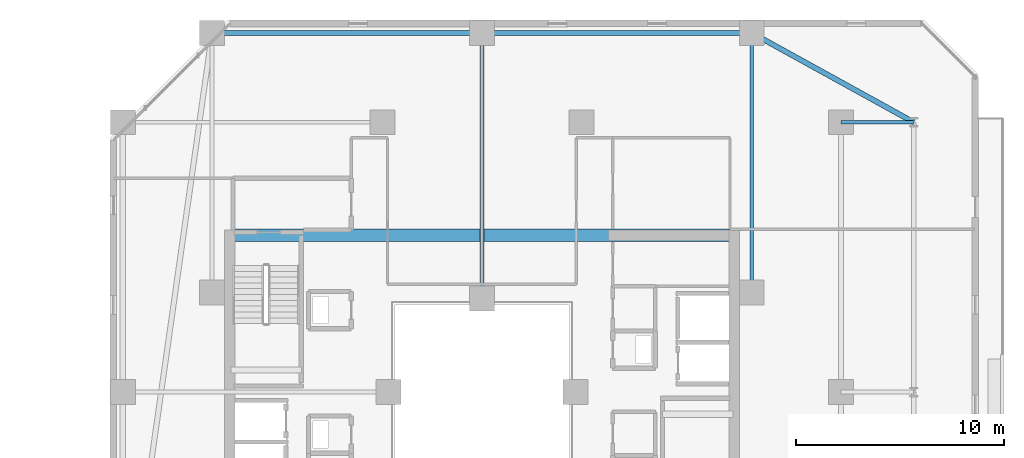
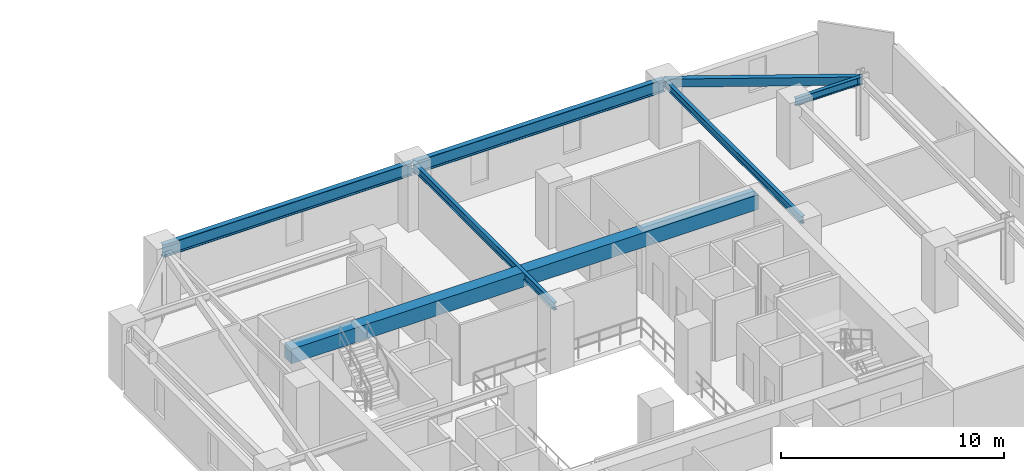
# One storey, part 15 of 31: 7 beams.
"""IFC4 building model written with IfcOpenShell, lengths in metres."""

from ifc_helpers import new_model, si_unit, direction, frame, origin, origin_2d, place, context, subcontext, project, spatial, rectangle, hollow_rectangle, i_section, extrude, material, material_profile, profile_set, type_object, element, save


model = new_model("IFC4")

# Units and contexts
model_context = context("Model", 3, precision=1e-05, world=origin(), true_north=direction((0.0, 1.0)))
body_context = subcontext(model_context, "Body", "Model", "MODEL_VIEW")
ifc_project = project(units=[si_unit("LENGTHUNIT", "METRE"), si_unit("AREAUNIT", "SQUARE_METRE"), si_unit("VOLUMEUNIT", "CUBIC_METRE"), si_unit("PLANEANGLEUNIT", "RADIAN"), si_unit("MASSUNIT", "GRAM", prefix="KILO")], contexts=[model_context])

# Site, building, storey
site_placement = place(None, origin())
site = spatial("IfcSite", under=ifc_project, at=site_placement, CompositionType="ELEMENT")
building_placement = place(site_placement, origin())
building = spatial("IfcBuilding", under=site, at=building_placement, Name="Thornwick Lancets Civic Towers", CompositionType="ELEMENT")
storey_placement = place(building_placement, frame((0.0, 0.0, 126.89990234375)))
storey = spatial("IfcBuildingStorey", under=building, at=storey_placement, Name="L33", CompositionType="ELEMENT", Elevation=126.89990234375)

# Beams
ifc_material_1 = material(Name="Concrete C60/75", Category="concrete")
ifc_material_profile_1 = material_profile(ifc_material_1, rectangle(XDim=0.60009765625, YDim=0.800048828125, at=origin_2d()), Name="RC 600x800")
ifc_profile_set_1 = profile_set([ifc_material_profile_1], Name="Concrete C60/75")
beam_type_1 = type_object("IfcBeamType", Name="BM_COUP_RC800", PredefinedType="BEAM", material=ifc_profile_set_1)
beam_1_placement = place(storey_placement, frame((76.39990234375, 34.550048828125, 2.960205078125), z_axis=(1.0, 0.0, 0.0), x_axis=(0.0, 1.0, 0.0)))
element("IfcBeam", 1, at=beam_1_placement, inside=storey, type_object=beam_type_1, Name="CB-L33-B1", PredefinedType="BEAM", context=body_context, shape_type="SweptSolid", body=[
    extrude(rectangle(XDim=0.60009765625, YDim=0.800048828125, at=origin_2d()), origin(), (0.0, 0.0, 1.0), 24.2001953125),
])
ifc_material_2 = material(Name="Steel S355JR", Category="steel")
ifc_material_profile_2 = material_profile(ifc_material_2, i_section(OverallWidth=0.255859375, OverallDepth=0.69287109375, WebThickness=0.014404296875, FlangeThickness=0.023681640625, FilletRadius=0.01513671875, at=origin_2d()), Name="UKB 686x254x170")
ifc_profile_set_2 = profile_set([ifc_material_profile_2], Name="Steel S355JR")
beam_type_2 = type_object("IfcBeamType", Name="BM_GIRD_686_170", PredefinedType="BEAM", material=ifc_profile_set_2)
beam_2_placement = place(storey_placement, frame((101.5, 44.300048828125, 3.013671875), z_axis=(-1.0, 0.0, 0.0), x_axis=(0.0, -1.0, 0.0)))
element("IfcBeam", 2, at=beam_2_placement, inside=storey, type_object=beam_type_2, Name="BM-SPINE-L33-B-3-4", PredefinedType="BEAM", context=body_context, shape_type="SweptSolid", body=[
    extrude(i_section(OverallWidth=0.255859375, OverallDepth=0.69287109375, WebThickness=0.014404296875, FlangeThickness=0.023681640625, FilletRadius=0.01513671875, at=origin_2d()), origin(), (0.0, 0.0, 1.0), 13.0),
])
beam_3_placement = place(storey_placement, frame((88.419921875, 44.300048828125, 3.013671875), z_axis=(-1.0, 0.0, 0.0), x_axis=(0.0, -1.0, 0.0)))
element("IfcBeam", 3, at=beam_3_placement, inside=storey, type_object=beam_type_2, Name="BM-SPINE-L33-B-4-5", PredefinedType="BEAM", context=body_context, shape_type="SweptSolid", body=[
    extrude(i_section(OverallWidth=0.255859375, OverallDepth=0.69287109375, WebThickness=0.014404296875, FlangeThickness=0.023681640625, FilletRadius=0.01513671875, at=origin_2d()), origin(), (0.0, 0.0, 1.0), 12.919921875),
])
ifc_material_profile_3 = material_profile(ifc_material_2, i_section(OverallWidth=0.179443359375, OverallDepth=0.412841796875, WebThickness=0.009521484375, FlangeThickness=0.01611328125, FilletRadius=0.01025390625, at=origin_2d()), Name="UKB 406x178x74")
ifc_profile_set_3 = profile_set([ifc_material_profile_3], Name="Steel S355JR")
beam_type_3 = type_object("IfcBeamType", Name="BM_JOIST_406_74", PredefinedType="JOIST", material=ifc_profile_set_3)
beam_4_placement = place(storey_placement, frame((105.800048828125, 40.0, 3.15380859375), z_axis=(1.0, 0.0, 0.0), x_axis=(0.0, 1.0, 0.0)))
element("IfcBeam", 4, at=beam_4_placement, inside=storey, type_object=beam_type_3, Name="BM-RAD-L33-B03", PredefinedType="JOIST", context=body_context, shape_type="SweptSolid", body=[
    extrude(i_section(OverallWidth=0.179443359375, OverallDepth=0.412841796875, WebThickness=0.009521484375, FlangeThickness=0.01611328125, FilletRadius=0.01025390625, at=origin_2d()), origin(), (0.0, 0.0, 1.0), 3.5),
])
beam_5_placement = place(storey_placement, frame((101.5, 31.800048828125, 3.15380859375), z_axis=(0.0, 1.0, 0.0), x_axis=(-1.0, 0.0, 0.0)))
element("IfcBeam", 5, at=beam_5_placement, inside=storey, type_object=beam_type_3, Name="BM-RADIN-L33-B04", PredefinedType="JOIST", context=body_context, shape_type="SweptSolid", body=[
    extrude(i_section(OverallWidth=0.179443359375, OverallDepth=0.412841796875, WebThickness=0.009521484375, FlangeThickness=0.01611328125, FilletRadius=0.01025390625, at=origin_2d()), origin(), (0.0, 0.0, 1.0), 12.5),
])
beam_6_placement = place(storey_placement, frame((88.5, 31.5, 3.15380859375), z_axis=(0.0, 1.0, 0.0), x_axis=(-1.0, 0.0, 0.0)))
element("IfcBeam", 6, at=beam_6_placement, inside=storey, type_object=beam_type_3, Name="BM-RADIN-L33-B05", PredefinedType="JOIST", context=body_context, shape_type="SweptSolid", body=[
    extrude(i_section(OverallWidth=0.179443359375, OverallDepth=0.412841796875, WebThickness=0.009521484375, FlangeThickness=0.01611328125, FilletRadius=0.01025390625, at=origin_2d()), origin(), (0.0, 0.0, 1.0), 12.800048828125),
])
ifc_material_profile_4 = material_profile(ifc_material_2, hollow_rectangle(XDim=0.25, YDim=0.449951171875, WallThickness=0.01611328125, at=origin_2d()), Name="RHS 450x250x16")
ifc_profile_set_4 = profile_set([ifc_material_profile_4], Name="Steel S355JR")
beam_type_4 = type_object("IfcBeamType", Name="BM_RING_RHS450", PredefinedType="BEAM", material=ifc_profile_set_4)
beam_7_placement = place(storey_placement, frame((109.300048828125, 40.0, 3.135009765625), z_axis=(-0.875740348708, 0.482782395749, 0.0), x_axis=(-0.482782395749, -0.875740348708, 0.0)))
element("IfcBeam", 7, at=beam_7_placement, inside=storey, type_object=beam_type_4, Name="BM-CHAMF-L33-B-C0", PredefinedType="BEAM", context=body_context, shape_type="SweptSolid", body=[
    extrude(hollow_rectangle(XDim=0.25, YDim=0.449951171875, WallThickness=0.01611328125, at=origin_2d()), origin(), (0.0, 0.0, 1.0), 8.90673828125),
])

save(model, "model.ifc")
